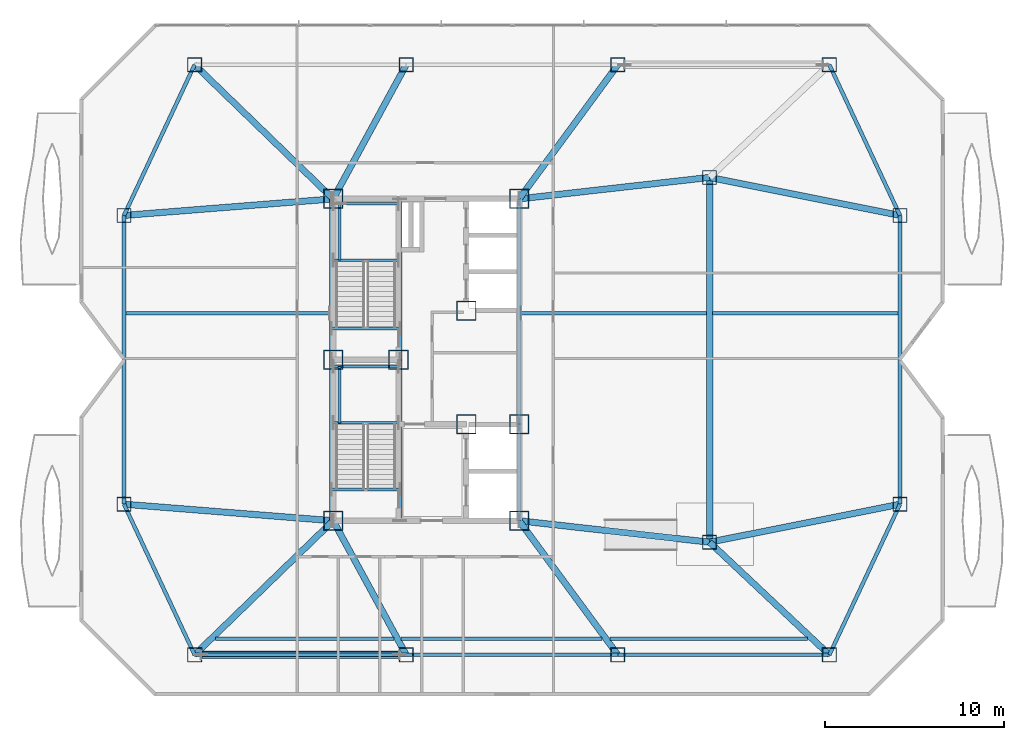
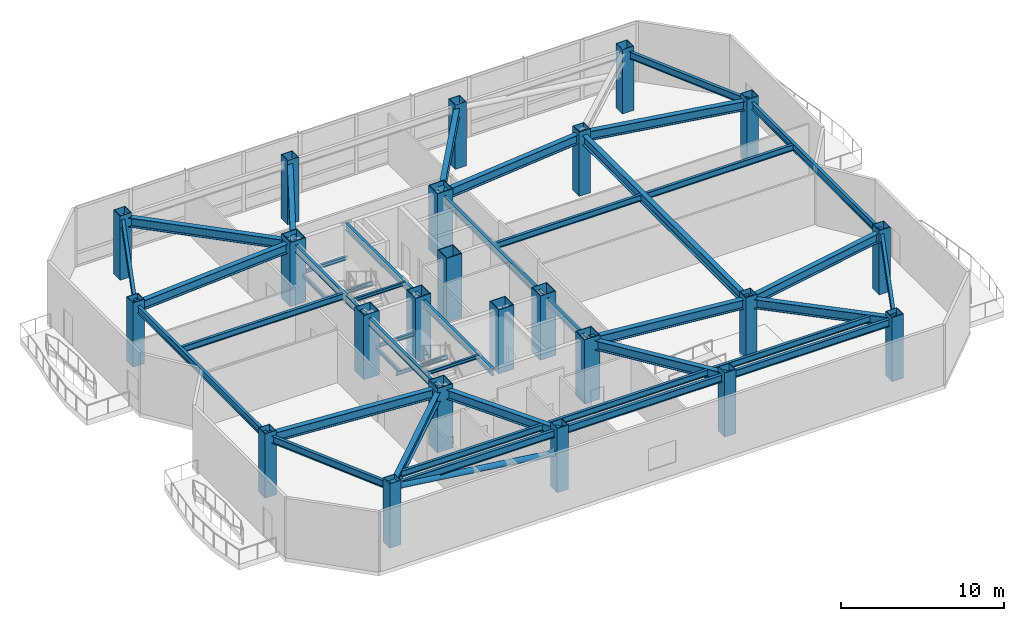
# One storey, part 1 of 16: 43 beams, 23 columns, 1 member.
"""IFC4 building model written with IfcOpenShell, lengths in metres."""

from ifc_helpers import new_model, si_unit, direction, frame, origin, origin_2d, place, context, subcontext, project, spatial, hollow_rectangle, hollow_circle, i_section, extrude, material, material_profile, profile_set, type_object, element, save


model = new_model("IFC4")

# Units and contexts
model_context = context("Model", 3, precision=1e-05, world=origin(), true_north=direction((0.0, 1.0)))
body_context = subcontext(model_context, "Body", "Model", "MODEL_VIEW")
ifc_project = project(units=[si_unit("LENGTHUNIT", "METRE"), si_unit("AREAUNIT", "SQUARE_METRE"), si_unit("VOLUMEUNIT", "CUBIC_METRE"), si_unit("PLANEANGLEUNIT", "RADIAN"), si_unit("MASSUNIT", "GRAM", prefix="KILO")], contexts=[model_context])

# Site, building, storey
site_placement = place(None, origin())
site = spatial("IfcSite", under=ifc_project, at=site_placement, CompositionType="ELEMENT")
building_placement = place(site_placement, origin())
building = spatial("IfcBuilding", under=site, at=building_placement, Name="Khamvora Tower", CompositionType="ELEMENT")
storey_placement = place(building_placement, frame((0.0, 0.0, 207.0)))
storey = spatial("IfcBuildingStorey", under=building, at=storey_placement, Name="L53", CompositionType="ELEMENT", Elevation=207.0)

# Columns
ifc_material_1 = material(Name="Steel S460", Category="steel")
ifc_material_profile_1 = material_profile(ifc_material_1, hollow_rectangle(XDim=1.10009765625, YDim=1.10009765625, WallThickness=0.054931640625, at=origin_2d()), Name="BOX1100x1100x55")
ifc_profile_set_1 = profile_set([ifc_material_profile_1], Name="Steel S460")
column_type_1 = type_object("IfcColumnType", Name="COL-BOX1100", PredefinedType="COLUMN", material=ifc_profile_set_1)
for number, where, z_axis, x_axis, name in (
    (1, (29.0, 19.0, 0.0), (0.0, 0.0, 1.0), (1.0, 0.0, 0.0), "L53 plumb core spine column SC1"),
    (2, (32.64990234375, 28.0, 0.0), (0.0, 0.0, 1.0), (1.0, 0.0, 0.0), "L53 plumb core spine column SC2"),
    (3, (39.39990234375, 19.0, 0.0), (0.0, 0.0, 1.0), (1.0, 0.0, 0.0), "L53 plumb core spine column SC3"),
    (4, (29.0, 28.0, 0.0), (0.0, 0.0, 1.0), (1.0, 0.0, 0.0), "L53 plumb core spine column SC4"),
    (5, (36.449951171875, 24.39990234375, 0.0), (0.0, 0.0, 1.0), (1.0, 0.0, 0.0), "L53 plumb core spine column SC5"),
    (6, (39.39990234375, 24.39990234375, 0.0), (0.0, 0.0, 1.0), (1.0, 0.0, 0.0), "L53 plumb core spine column SC6"),
    (7, (29.0, 37.0, 0.0), (0.0, 0.0, 1.0), (1.0, 0.0, 0.0), "L53 plumb core spine column SC7"),
    (8, (36.449951171875, 30.75, 0.0), (0.0, 0.0, 1.0), (1.0, 0.0, 0.0), "L53 plumb core spine column SC8"),
    (9, (39.39990234375, 37.0, 0.0), (0.0, 0.0, 1.0), (1.0, 0.0, 0.0), "L53 plumb core spine column SC9"),
):
    element("IfcColumn", number, at=place(storey_placement, frame(where, z_axis=z_axis, x_axis=x_axis)), inside=storey, type_object=column_type_1, Name=name, PredefinedType="COLUMN", context=body_context, shape_type="SweptSolid", body=[
        extrude(hollow_rectangle(XDim=1.10009765625, YDim=1.10009765625, WallThickness=0.054931640625, at=origin_2d()), origin(), (0.0, 0.0, 1.0), 4.800048828125),
    ])
ifc_material_2 = material(Name="Steel S355", Category="steel")
ifc_material_profile_2 = material_profile(ifc_material_2, hollow_rectangle(XDim=0.800048828125, YDim=0.800048828125, WallThickness=0.0400390625, at=origin_2d()), Name="BOX800x800x40")
ifc_profile_set_2 = profile_set([ifc_material_profile_2], Name="Steel S355")
column_type_2 = type_object("IfcColumnType", Name="COL-BOX800", PredefinedType="COLUMN", material=ifc_profile_set_2)
for number, where, z_axis, x_axis, name in (
    (10, (21.25, 11.5, 0.0), (0.0, 0.0, 1.0), (1.0, 0.0, 0.0), "L53 structural frame column S1"),
    (11, (33.0830078125, 11.5, 0.0), (0.0, 0.0, 1.0), (1.0, 0.0, 0.0), "L53 structural frame column S2"),
    (12, (44.9169921875, 11.5, 0.0), (0.0, 0.0, 1.0), (1.0, 0.0, 0.0), "L53 structural frame column S3"),
    (13, (56.75, 11.5, 0.0), (0.0, 0.0, 1.0), (1.0, 0.0, 0.0), "L53 structural frame column S4"),
    (14, (21.25, 44.5, 0.0), (0.0, 0.0, 1.0), (1.0, 0.0, 0.0), "L53 structural frame column N1"),
    (15, (33.0830078125, 44.5, 0.0), (0.0, 0.0, 1.0), (1.0, 0.0, 0.0), "L53 structural frame column N2"),
    (16, (44.9169921875, 44.5, 0.0), (0.0, 0.0, 1.0), (1.0, 0.0, 0.0), "L53 structural frame column N3"),
    (17, (56.75, 44.5, 0.0), (0.0, 0.0, 1.0), (1.0, 0.0, 0.0), "L53 structural frame column N4"),
    (18, (17.300048828125, 19.925048828125, 0.0), (0.0, 0.0, 1.0), (1.0, 0.0, 0.0), "L53 structural frame column W1"),
    (19, (17.300048828125, 36.074951171875, 0.0), (0.0, 0.0, 1.0), (1.0, 0.0, 0.0), "L53 structural frame column W2"),
    (20, (60.699951171875, 19.925048828125, 0.0), (0.0, 0.0, 1.0), (1.0, 0.0, 0.0), "L53 structural frame column E1"),
    (21, (60.699951171875, 36.074951171875, 0.0), (0.0, 0.0, 1.0), (1.0, 0.0, 0.0), "L53 structural frame column E2"),
    (22, (50.050048828125, 17.800048828125, 0.0), (0.0, 0.0, 1.0), (1.0, 0.0, 0.0), "L53 structural frame column M1"),
    (23, (50.050048828125, 38.199951171875, 0.0), (0.0, 0.0, 1.0), (1.0, 0.0, 0.0), "L53 structural frame column M2"),
):
    element("IfcColumn", number, at=place(storey_placement, frame(where, z_axis=z_axis, x_axis=x_axis)), inside=storey, type_object=column_type_2, Name=name, PredefinedType="COLUMN", context=body_context, shape_type="SweptSolid", body=[
        extrude(hollow_rectangle(XDim=0.800048828125, YDim=0.800048828125, WallThickness=0.0400390625, at=origin_2d()), origin(), (0.0, 0.0, 1.0), 4.800048828125),
    ])

# Beams
ifc_material_profile_3 = material_profile(ifc_material_2, i_section(OverallWidth=0.19189453125, OverallDepth=0.462890625, WebThickness=0.010986328125, FlangeThickness=0.01806640625, FilletRadius=0.011962890625, at=origin_2d()), Name="W460x89")
ifc_profile_set_3 = profile_set([ifc_material_profile_3], Name="Steel S355")
beam_type_1 = type_object("IfcBeamType", Name="BM-JS-W460x89", PredefinedType="JOIST", material=ifc_profile_set_3)
beam_1_placement = place(storey_placement, frame((22.429931640625, 12.39990234375, 4.248046875), z_axis=(1.0, 0.0, 0.0), x_axis=(0.0, 1.0, 0.0)))
element("IfcBeam", 24, at=beam_1_placement, inside=storey, type_object=beam_type_1, Name="L53 secondary floor joist 01", PredefinedType="JOIST", context=body_context, shape_type="SweptSolid", body=[
    extrude(i_section(OverallWidth=0.19189453125, OverallDepth=0.462890625, WebThickness=0.010986328125, FlangeThickness=0.01806640625, FilletRadius=0.011962890625, at=origin_2d()), origin(), (0.0, 0.0, 1.0), 9.966064453125),
])
beam_2_placement = place(storey_placement, frame((32.7900390625, 12.39990234375, 4.248046875), z_axis=(1.0, 0.0, 0.0), x_axis=(0.0, 1.0, 0.0)))
element("IfcBeam", 25, at=beam_2_placement, inside=storey, type_object=beam_type_1, Name="L53 secondary floor joist 02", PredefinedType="JOIST", context=body_context, shape_type="SweptSolid", body=[
    extrude(i_section(OverallWidth=0.19189453125, OverallDepth=0.462890625, WebThickness=0.010986328125, FlangeThickness=0.01806640625, FilletRadius=0.011962890625, at=origin_2d()), origin(), (0.0, 0.0, 1.0), 11.25),
])
beam_3_placement = place(storey_placement, frame((44.469970703125, 12.39990234375, 4.248046875), z_axis=(1.0, 0.0, 0.0), x_axis=(0.0, 1.0, 0.0)))
element("IfcBeam", 26, at=beam_3_placement, inside=storey, type_object=beam_type_1, Name="L53 secondary floor joist 03", PredefinedType="JOIST", context=body_context, shape_type="SweptSolid", body=[
    extrude(i_section(OverallWidth=0.19189453125, OverallDepth=0.462890625, WebThickness=0.010986328125, FlangeThickness=0.01806640625, FilletRadius=0.011962890625, at=origin_2d()), origin(), (0.0, 0.0, 1.0), 11.069091796875),
])
beam_4_placement = place(storey_placement, frame((17.39892578125, 30.60009765625, 4.248046875), z_axis=(1.0, 0.0, 0.0), x_axis=(0.0, 1.0, 0.0)))
element("IfcBeam", 27, at=beam_4_placement, inside=storey, type_object=beam_type_1, Name="L53 secondary floor joist 04", PredefinedType="JOIST", context=body_context, shape_type="SweptSolid", body=[
    extrude(i_section(OverallWidth=0.19189453125, OverallDepth=0.462890625, WebThickness=0.010986328125, FlangeThickness=0.01806640625, FilletRadius=0.011962890625, at=origin_2d()), origin(), (0.0, 0.0, 1.0), 11.401123046875),
])
beam_5_placement = place(storey_placement, frame((39.4990234375, 30.60009765625, 4.248046875), z_axis=(1.0, 0.0, 0.0), x_axis=(0.0, 1.0, 0.0)))
element("IfcBeam", 28, at=beam_5_placement, inside=storey, type_object=beam_type_1, Name="L53 secondary floor joist 05", PredefinedType="JOIST", context=body_context, shape_type="SweptSolid", body=[
    extrude(i_section(OverallWidth=0.19189453125, OverallDepth=0.462890625, WebThickness=0.010986328125, FlangeThickness=0.01806640625, FilletRadius=0.011962890625, at=origin_2d()), origin(), (0.0, 0.0, 1.0), 10.3779296875),
])
beam_6_placement = place(storey_placement, frame((50.221923828125, 30.60009765625, 4.248046875), z_axis=(1.0, 0.0, 0.0), x_axis=(0.0, 1.0, 0.0)))
element("IfcBeam", 29, at=beam_6_placement, inside=storey, type_object=beam_type_1, Name="L53 secondary floor joist 06", PredefinedType="JOIST", context=body_context, shape_type="SweptSolid", body=[
    extrude(i_section(OverallWidth=0.19189453125, OverallDepth=0.462890625, WebThickness=0.010986328125, FlangeThickness=0.01806640625, FilletRadius=0.011962890625, at=origin_2d()), origin(), (0.0, 0.0, 1.0), 10.379150390625),
])
ifc_material_profile_4 = material_profile(ifc_material_2, i_section(OverallWidth=0.14697265625, OverallDepth=0.261962890625, WebThickness=0.007080078125, FlangeThickness=0.010986328125, FilletRadius=0.008056640625, at=origin_2d()), Name="W250x39")
ifc_profile_set_4 = profile_set([ifc_material_profile_4], Name="Steel S355")
beam_type_2 = type_object("IfcBeamType", Name="BM-LN-W250x39", PredefinedType="LINTEL", material=ifc_profile_set_4)
for number, where, z_axis, x_axis, name in (
    (30, (29.0, 24.47509765625, 2.069091796875), (1.0, 0.0, 0.0), (0.0, 1.0, 0.0), "L53 ST-01 half-landing support beam 1.1"),
    (31, (29.0, 27.6298828125, 2.069091796875), (1.0, 0.0, 0.0), (0.0, 1.0, 0.0), "L53 ST-01 half-landing support beam 1.2"),
):
    element("IfcBeam", number, at=place(storey_placement, frame(where, z_axis=z_axis, x_axis=x_axis)), inside=storey, type_object=beam_type_2, Name=name, PredefinedType="LINTEL", context=body_context, shape_type="SweptSolid", body=[
        extrude(i_section(OverallWidth=0.14697265625, OverallDepth=0.261962890625, WebThickness=0.007080078125, FlangeThickness=0.010986328125, FilletRadius=0.008056640625, at=origin_2d()), origin(), (0.0, 0.0, 1.0), 3.64990234375),
    ])
beam_7_placement = place(storey_placement, frame((29.35009765625, 24.47509765625, 2.069091796875), z_axis=(0.0, 1.0, 0.0), x_axis=(-1.0, 0.0, 0.0)))
element("IfcBeam", 32, at=beam_7_placement, inside=storey, type_object=beam_type_2, Name="L53 ST-01 half-landing edge stringer 1", PredefinedType="LINTEL", context=body_context, shape_type="SweptSolid", body=[
    extrude(i_section(OverallWidth=0.14697265625, OverallDepth=0.261962890625, WebThickness=0.007080078125, FlangeThickness=0.010986328125, FilletRadius=0.008056640625, at=origin_2d()), origin(), (0.0, 0.0, 1.0), 3.15478515625),
])
for number, where, z_axis, x_axis, name in (
    (33, (29.0, 33.574951171875, 2.069091796875), (1.0, 0.0, 0.0), (0.0, 1.0, 0.0), "L53 ST-02 half-landing support beam 1.1"),
    (34, (29.0, 36.72998046875, 2.069091796875), (1.0, 0.0, 0.0), (0.0, 1.0, 0.0), "L53 ST-02 half-landing support beam 1.2"),
):
    element("IfcBeam", number, at=place(storey_placement, frame(where, z_axis=z_axis, x_axis=x_axis)), inside=storey, type_object=beam_type_2, Name=name, PredefinedType="LINTEL", context=body_context, shape_type="SweptSolid", body=[
        extrude(i_section(OverallWidth=0.14697265625, OverallDepth=0.261962890625, WebThickness=0.007080078125, FlangeThickness=0.010986328125, FilletRadius=0.008056640625, at=origin_2d()), origin(), (0.0, 0.0, 1.0), 3.64990234375),
    ])
beam_8_placement = place(storey_placement, frame((29.35009765625, 33.574951171875, 2.069091796875), z_axis=(0.0, 1.0, 0.0), x_axis=(-1.0, 0.0, 0.0)))
element("IfcBeam", 35, at=beam_8_placement, inside=storey, type_object=beam_type_2, Name="L53 ST-02 half-landing edge stringer 1", PredefinedType="LINTEL", context=body_context, shape_type="SweptSolid", body=[
    extrude(i_section(OverallWidth=0.14697265625, OverallDepth=0.261962890625, WebThickness=0.007080078125, FlangeThickness=0.010986328125, FilletRadius=0.008056640625, at=origin_2d()), origin(), (0.0, 0.0, 1.0), 3.155029296875),
])
for number, where, z_axis, x_axis, name in (
    (36, (28.89990234375, 20.75, 4.35400390625), (1.0, 0.0, 0.0), (0.0, 1.0, 0.0), "L53 exit stair ST-01 landing trimmer beam"),
    (37, (28.89990234375, 29.75, 4.35400390625), (1.0, 0.0, 0.0), (0.0, 1.0, 0.0), "L53 exit stair ST-02 landing trimmer beam"),
):
    element("IfcBeam", number, at=place(storey_placement, frame(where, z_axis=z_axis, x_axis=x_axis)), inside=storey, type_object=beam_type_2, Name=name, PredefinedType="LINTEL", context=body_context, shape_type="SweptSolid", body=[
        extrude(i_section(OverallWidth=0.14697265625, OverallDepth=0.261962890625, WebThickness=0.007080078125, FlangeThickness=0.010986328125, FilletRadius=0.008056640625, at=origin_2d()), origin(), (0.0, 0.0, 1.0), 3.830078125),
    ])
ifc_material_profile_5 = material_profile(ifc_material_2, i_section(OverallWidth=0.35498046875, OverallDepth=0.695068359375, WebThickness=0.014892578125, FlangeThickness=0.02490234375, FilletRadius=0.01611328125, at=origin_2d()), Name="W690x217")
ifc_profile_set_5 = profile_set([ifc_material_profile_5], Name="Steel S355")
beam_type_3 = type_object("IfcBeamType", Name="BM-PG-W690x217", PredefinedType="BEAM", material=ifc_profile_set_5)
beam_9_placement = place(storey_placement, frame((50.050048828125, 17.800048828125, 4.132080078125), z_axis=(0.0, 1.0, 0.0), x_axis=(-1.0, 0.0, 0.0)))
element("IfcBeam", 38, at=beam_9_placement, inside=storey, type_object=beam_type_3, Name="L53 longitudinal frame girder M1-M2", PredefinedType="BEAM", context=body_context, shape_type="SweptSolid", body=[
    extrude(i_section(OverallWidth=0.35498046875, OverallDepth=0.695068359375, WebThickness=0.014892578125, FlangeThickness=0.02490234375, FilletRadius=0.01611328125, at=origin_2d()), origin(), (0.0, 0.0, 1.0), 20.39990234375),
])
beam_10_placement = place(storey_placement, frame((29.0, 19.0, 4.132080078125), z_axis=(-0.718602141767, -0.695421427516, 0.0), x_axis=(0.695421427516, -0.718602141767, 0.0)))
element("IfcBeam", 39, at=beam_10_placement, inside=storey, type_object=beam_type_3, Name="L53 primary floor girder S1", PredefinedType="BEAM", context=body_context, shape_type="SweptSolid", body=[
    extrude(i_section(OverallWidth=0.35498046875, OverallDepth=0.695068359375, WebThickness=0.014892578125, FlangeThickness=0.02490234375, FilletRadius=0.01611328125, at=origin_2d()), origin(), (0.0, 0.0, 1.0), 10.784912109375),
])
beam_11_placement = place(storey_placement, frame((29.0, 19.0, 4.132080078125), z_axis=(0.478138862063, -0.878284252725, 0.0), x_axis=(0.878284252725, 0.478138862063, 0.0)))
element("IfcBeam", 40, at=beam_11_placement, inside=storey, type_object=beam_type_3, Name="L53 primary floor girder S2", PredefinedType="BEAM", context=body_context, shape_type="SweptSolid", body=[
    extrude(i_section(OverallWidth=0.35498046875, OverallDepth=0.695068359375, WebThickness=0.014892578125, FlangeThickness=0.02490234375, FilletRadius=0.01611328125, at=origin_2d()), origin(), (0.0, 0.0, 1.0), 8.539306640625),
])
beam_12_placement = place(storey_placement, frame((39.39990234375, 19.0, 4.132080078125), z_axis=(0.592556630955, -0.805528794713, 0.0), x_axis=(0.805528794713, 0.592556630955, 0.0)))
element("IfcBeam", 41, at=beam_12_placement, inside=storey, type_object=beam_type_3, Name="L53 primary floor girder S3", PredefinedType="BEAM", context=body_context, shape_type="SweptSolid", body=[
    extrude(i_section(OverallWidth=0.35498046875, OverallDepth=0.695068359375, WebThickness=0.014892578125, FlangeThickness=0.02490234375, FilletRadius=0.01611328125, at=origin_2d()), origin(), (0.0, 0.0, 1.0), 9.310546875),
])
beam_13_placement = place(storey_placement, frame((50.050048828125, 17.800048828125, 4.132080078125), z_axis=(0.728513992294, -0.685030921224, 0.0), x_axis=(0.685030921224, 0.728513992294, 0.0)))
element("IfcBeam", 42, at=beam_13_placement, inside=storey, type_object=beam_type_3, Name="L53 primary floor girder S4", PredefinedType="BEAM", context=body_context, shape_type="SweptSolid", body=[
    extrude(i_section(OverallWidth=0.35498046875, OverallDepth=0.695068359375, WebThickness=0.014892578125, FlangeThickness=0.02490234375, FilletRadius=0.01611328125, at=origin_2d()), origin(), (0.0, 0.0, 1.0), 9.19677734375),
])
beam_14_placement = place(storey_placement, frame((29.0, 37.0, 4.132080078125), z_axis=(-0.718602141767, 0.695421427516, 0.0), x_axis=(-0.695421427516, -0.718602141767, 0.0)))
element("IfcBeam", 43, at=beam_14_placement, inside=storey, type_object=beam_type_3, Name="L53 primary floor girder N1", PredefinedType="BEAM", context=body_context, shape_type="SweptSolid", body=[
    extrude(i_section(OverallWidth=0.35498046875, OverallDepth=0.695068359375, WebThickness=0.014892578125, FlangeThickness=0.02490234375, FilletRadius=0.01611328125, at=origin_2d()), origin(), (0.0, 0.0, 1.0), 10.784912109375),
])
beam_15_placement = place(storey_placement, frame((29.0, 37.0, 4.132080078125), z_axis=(0.478138862063, 0.878284252725, 0.0), x_axis=(-0.878284252725, 0.478138862063, 0.0)))
element("IfcBeam", 44, at=beam_15_placement, inside=storey, type_object=beam_type_3, Name="L53 primary floor girder N2", PredefinedType="BEAM", context=body_context, shape_type="SweptSolid", body=[
    extrude(i_section(OverallWidth=0.35498046875, OverallDepth=0.695068359375, WebThickness=0.014892578125, FlangeThickness=0.02490234375, FilletRadius=0.01611328125, at=origin_2d()), origin(), (0.0, 0.0, 1.0), 8.539306640625),
])
beam_16_placement = place(storey_placement, frame((39.39990234375, 37.0, 4.132080078125), z_axis=(0.592556630955, 0.805528794713, 0.0), x_axis=(-0.805528794713, 0.592556630955, 0.0)))
element("IfcBeam", 45, at=beam_16_placement, inside=storey, type_object=beam_type_3, Name="L53 primary floor girder N3", PredefinedType="BEAM", context=body_context, shape_type="SweptSolid", body=[
    extrude(i_section(OverallWidth=0.35498046875, OverallDepth=0.695068359375, WebThickness=0.014892578125, FlangeThickness=0.02490234375, FilletRadius=0.01611328125, at=origin_2d()), origin(), (0.0, 0.0, 1.0), 9.310546875),
])
for number, where, z_axis, x_axis, name in (
    (46, (29.0, 19.0, 4.132080078125), (-0.996888993668, 0.078818362728, 0.0), (-0.078818362728, -0.996888993668, 0.0), "L53 primary floor girder W1"),
    (47, (29.0, 37.0, 4.132080078125), (-0.996888993668, -0.078818362728, 0.0), (0.078818362728, -0.996888993668, 0.0), "L53 primary floor girder W2"),
):
    element("IfcBeam", number, at=place(storey_placement, frame(where, z_axis=z_axis, x_axis=x_axis)), inside=storey, type_object=beam_type_3, Name=name, PredefinedType="BEAM", context=body_context, shape_type="SweptSolid", body=[
        extrude(i_section(OverallWidth=0.35498046875, OverallDepth=0.695068359375, WebThickness=0.014892578125, FlangeThickness=0.02490234375, FilletRadius=0.01611328125, at=origin_2d()), origin(), (0.0, 0.0, 1.0), 11.736572265625),
    ])
for number, where, z_axis, x_axis, name in (
    (48, (50.050048828125, 17.800048828125, 4.132080078125), (0.980668771461, 0.195675140681, 0.0), (-0.195675140681, 0.980668771461, 0.0), "L53 primary floor girder E1"),
    (49, (50.050048828125, 38.199951171875, 4.132080078125), (0.980668771461, -0.195675140681, 0.0), (0.195675140681, 0.980668771461, 0.0), "L53 primary floor girder E2"),
):
    element("IfcBeam", number, at=place(storey_placement, frame(where, z_axis=z_axis, x_axis=x_axis)), inside=storey, type_object=beam_type_3, Name=name, PredefinedType="BEAM", context=body_context, shape_type="SweptSolid", body=[
        extrude(i_section(OverallWidth=0.35498046875, OverallDepth=0.695068359375, WebThickness=0.014892578125, FlangeThickness=0.02490234375, FilletRadius=0.01611328125, at=origin_2d()), origin(), (0.0, 0.0, 1.0), 10.85986328125),
    ])
for number, where, z_axis, x_axis, name in (
    (50, (39.39990234375, 19.0, 4.132080078125), (0.993712543569, -0.111961514606, 0.0), (0.111961514606, 0.993712543569, 0.0), "L53 primary floor girder M1"),
    (51, (39.39990234375, 37.0, 4.132080078125), (0.993712543569, 0.111961514606, 0.0), (-0.111961514606, 0.993712543569, 0.0), "L53 primary floor girder M2"),
):
    element("IfcBeam", number, at=place(storey_placement, frame(where, z_axis=z_axis, x_axis=x_axis)), inside=storey, type_object=beam_type_3, Name=name, PredefinedType="BEAM", context=body_context, shape_type="SweptSolid", body=[
        extrude(i_section(OverallWidth=0.35498046875, OverallDepth=0.695068359375, WebThickness=0.014892578125, FlangeThickness=0.02490234375, FilletRadius=0.01611328125, at=origin_2d()), origin(), (0.0, 0.0, 1.0), 10.717529296875),
    ])
ifc_material_profile_6 = material_profile(ifc_material_2, i_section(OverallWidth=0.208984375, OverallDepth=0.532958984375, WebThickness=0.010009765625, FlangeThickness=0.01611328125, FilletRadius=0.013916015625, at=origin_2d()), Name="W530x92")
ifc_profile_set_6 = profile_set([ifc_material_profile_6], Name="Steel S355")
beam_type_4 = type_object("IfcBeamType", Name="BM-SP-W530x92", PredefinedType="SPANDREL", material=ifc_profile_set_6)
beam_17_placement = place(storey_placement, frame((17.300048828125, 19.925048828125, 4.212890625), z_axis=(0.424496391454, -0.905429629315, 0.0), x_axis=(0.905429629315, 0.424496391454, 0.0)))
element("IfcBeam", 52, at=beam_17_placement, inside=storey, type_object=beam_type_4, Name="L53 perimeter spandrel beam W1-S1", PredefinedType="SPANDREL", context=body_context, shape_type="SweptSolid", body=[
    extrude(i_section(OverallWidth=0.208984375, OverallDepth=0.532958984375, WebThickness=0.010009765625, FlangeThickness=0.01611328125, FilletRadius=0.013916015625, at=origin_2d()), origin(), (0.0, 0.0, 1.0), 9.304931640625),
])
beam_18_placement = place(storey_placement, frame((21.25, 11.5, 4.212890625), z_axis=(1.0, 0.0, 0.0), x_axis=(0.0, 1.0, 0.0)))
element("IfcBeam", 53, at=beam_18_placement, inside=storey, type_object=beam_type_4, Name="L53 perimeter spandrel beam S1-S2", PredefinedType="SPANDREL", context=body_context, shape_type="SweptSolid", body=[
    extrude(i_section(OverallWidth=0.208984375, OverallDepth=0.532958984375, WebThickness=0.010009765625, FlangeThickness=0.01611328125, FilletRadius=0.013916015625, at=origin_2d()), origin(), (0.0, 0.0, 1.0), 11.8330078125),
])
beam_19_placement = place(storey_placement, frame((33.0830078125, 11.5, 4.212890625), z_axis=(1.0, 0.0, 0.0), x_axis=(0.0, 1.0, 0.0)))
element("IfcBeam", 54, at=beam_19_placement, inside=storey, type_object=beam_type_4, Name="L53 perimeter spandrel beam S2-S3", PredefinedType="SPANDREL", context=body_context, shape_type="SweptSolid", body=[
    extrude(i_section(OverallWidth=0.208984375, OverallDepth=0.532958984375, WebThickness=0.010009765625, FlangeThickness=0.01611328125, FilletRadius=0.013916015625, at=origin_2d()), origin(), (0.0, 0.0, 1.0), 11.833984375),
])
beam_20_placement = place(storey_placement, frame((44.9169921875, 11.5, 4.212890625), z_axis=(1.0, 0.0, 0.0), x_axis=(0.0, 1.0, 0.0)))
element("IfcBeam", 55, at=beam_20_placement, inside=storey, type_object=beam_type_4, Name="L53 perimeter spandrel beam S3-S4", PredefinedType="SPANDREL", context=body_context, shape_type="SweptSolid", body=[
    extrude(i_section(OverallWidth=0.208984375, OverallDepth=0.532958984375, WebThickness=0.010009765625, FlangeThickness=0.01611328125, FilletRadius=0.013916015625, at=origin_2d()), origin(), (0.0, 0.0, 1.0), 11.8330078125),
])
beam_21_placement = place(storey_placement, frame((56.75, 11.5, 4.212890625), z_axis=(0.424496391454, 0.905429629315, 0.0), x_axis=(-0.905429629315, 0.424496391454, 0.0)))
element("IfcBeam", 56, at=beam_21_placement, inside=storey, type_object=beam_type_4, Name="L53 perimeter spandrel beam S4-E1", PredefinedType="SPANDREL", context=body_context, shape_type="SweptSolid", body=[
    extrude(i_section(OverallWidth=0.208984375, OverallDepth=0.532958984375, WebThickness=0.010009765625, FlangeThickness=0.01611328125, FilletRadius=0.013916015625, at=origin_2d()), origin(), (0.0, 0.0, 1.0), 9.304931640625),
])
beam_22_placement = place(storey_placement, frame((60.699951171875, 19.925048828125, 4.212890625), z_axis=(0.0, 1.0, 0.0), x_axis=(-1.0, 0.0, 0.0)))
element("IfcBeam", 57, at=beam_22_placement, inside=storey, type_object=beam_type_4, Name="L53 perimeter spandrel beam E1-E2", PredefinedType="SPANDREL", context=body_context, shape_type="SweptSolid", body=[
    extrude(i_section(OverallWidth=0.208984375, OverallDepth=0.532958984375, WebThickness=0.010009765625, FlangeThickness=0.01611328125, FilletRadius=0.013916015625, at=origin_2d()), origin(), (0.0, 0.0, 1.0), 16.14990234375),
])
for number, where, z_axis, x_axis, name in (
    (58, (60.699951171875, 36.074951171875, 4.212890625), (-0.424496391454, 0.905429629315, 0.0), (-0.905429629315, -0.424496391454, 0.0), "L53 perimeter spandrel beam E2-N4"),
    (59, (21.25, 44.5, 4.212890625), (-0.424496391454, -0.905429629315, 0.0), (0.905429629315, -0.424496391454, 0.0), "L53 perimeter spandrel beam N1-W2"),
):
    element("IfcBeam", number, at=place(storey_placement, frame(where, z_axis=z_axis, x_axis=x_axis)), inside=storey, type_object=beam_type_4, Name=name, PredefinedType="SPANDREL", context=body_context, shape_type="SweptSolid", body=[
        extrude(i_section(OverallWidth=0.208984375, OverallDepth=0.532958984375, WebThickness=0.010009765625, FlangeThickness=0.01611328125, FilletRadius=0.013916015625, at=origin_2d()), origin(), (0.0, 0.0, 1.0), 9.304931640625),
    ])
beam_23_placement = place(storey_placement, frame((17.300048828125, 36.074951171875, 4.212890625), z_axis=(0.0, -1.0, 0.0), x_axis=(1.0, 0.0, 0.0)))
element("IfcBeam", 60, at=beam_23_placement, inside=storey, type_object=beam_type_4, Name="L53 perimeter spandrel beam W2-W1", PredefinedType="SPANDREL", context=body_context, shape_type="SweptSolid", body=[
    extrude(i_section(OverallWidth=0.208984375, OverallDepth=0.532958984375, WebThickness=0.010009765625, FlangeThickness=0.01611328125, FilletRadius=0.013916015625, at=origin_2d()), origin(), (0.0, 0.0, 1.0), 16.14990234375),
])
for number, where, z_axis, x_axis, name in (
    (61, (28.89990234375, 19.0, 4.212890625), (0.0, 1.0, 0.0), (-1.0, 0.0, 0.0), "L53 core spine girder WS"),
    (62, (28.89990234375, 28.0, 4.212890625), (0.0, 1.0, 0.0), (-1.0, 0.0, 0.0), "L53 core spine girder WN"),
    (63, (32.72998046875, 19.0, 4.212890625), (0.0, 1.0, 0.0), (-1.0, 0.0, 0.0), "L53 core spine girder M1S"),
    (64, (32.72998046875, 28.0, 4.212890625), (0.0, 1.0, 0.0), (-1.0, 0.0, 0.0), "L53 core spine girder M1N"),
):
    element("IfcBeam", number, at=place(storey_placement, frame(where, z_axis=z_axis, x_axis=x_axis)), inside=storey, type_object=beam_type_4, Name=name, PredefinedType="SPANDREL", context=body_context, shape_type="SweptSolid", body=[
        extrude(i_section(OverallWidth=0.208984375, OverallDepth=0.532958984375, WebThickness=0.010009765625, FlangeThickness=0.01611328125, FilletRadius=0.013916015625, at=origin_2d()), origin(), (0.0, 0.0, 1.0), 9.0),
    ])
beam_24_placement = place(storey_placement, frame((39.39990234375, 19.0, 4.212890625), z_axis=(0.0, 1.0, 0.0), x_axis=(-1.0, 0.0, 0.0)))
element("IfcBeam", 65, at=beam_24_placement, inside=storey, type_object=beam_type_4, Name="L53 core spine girder ES", PredefinedType="SPANDREL", context=body_context, shape_type="SweptSolid", body=[
    extrude(i_section(OverallWidth=0.208984375, OverallDepth=0.532958984375, WebThickness=0.010009765625, FlangeThickness=0.01611328125, FilletRadius=0.013916015625, at=origin_2d()), origin(), (0.0, 0.0, 1.0), 5.39990234375),
])
beam_25_placement = place(storey_placement, frame((39.39990234375, 24.39990234375, 4.212890625), z_axis=(0.0, 1.0, 0.0), x_axis=(-1.0, 0.0, 0.0)))
element("IfcBeam", 66, at=beam_25_placement, inside=storey, type_object=beam_type_4, Name="L53 core spine girder EN", PredefinedType="SPANDREL", context=body_context, shape_type="SweptSolid", body=[
    extrude(i_section(OverallWidth=0.208984375, OverallDepth=0.532958984375, WebThickness=0.010009765625, FlangeThickness=0.01611328125, FilletRadius=0.013916015625, at=origin_2d()), origin(), (0.0, 0.0, 1.0), 12.60009765625),
])

# Member
ifc_material_profile_7 = material_profile(ifc_material_2, hollow_circle(Radius=0.202880859375, WallThickness=0.01611328125, at=origin_2d()), Name="CHS406x16")
ifc_profile_set_7 = profile_set([ifc_material_profile_7], Name="Steel S355")
member_type = type_object("IfcMemberType", Name="MEM-BR-CHS406", PredefinedType="BRACE", material=ifc_profile_set_7)
member_placement = place(storey_placement, frame((32.7060546875, 11.5, 2.72900390625), z_axis=(-0.991715296964, 0.0, 0.12845532207), x_axis=(0.0, -1.0, 0.0)))
element("IfcMember", 67, at=member_placement, inside=storey, type_object=member_type, Name="L53 perimeter wind brace 1", PredefinedType="BRACE", context=body_context, shape_type="SweptSolid", body=[
    extrude(hollow_circle(Radius=0.202880859375, WallThickness=0.01611328125, at=origin_2d()), origin(), (0.0, 0.0, 1.0), 11.171630859375),
])

save(model, "model.ifc")
